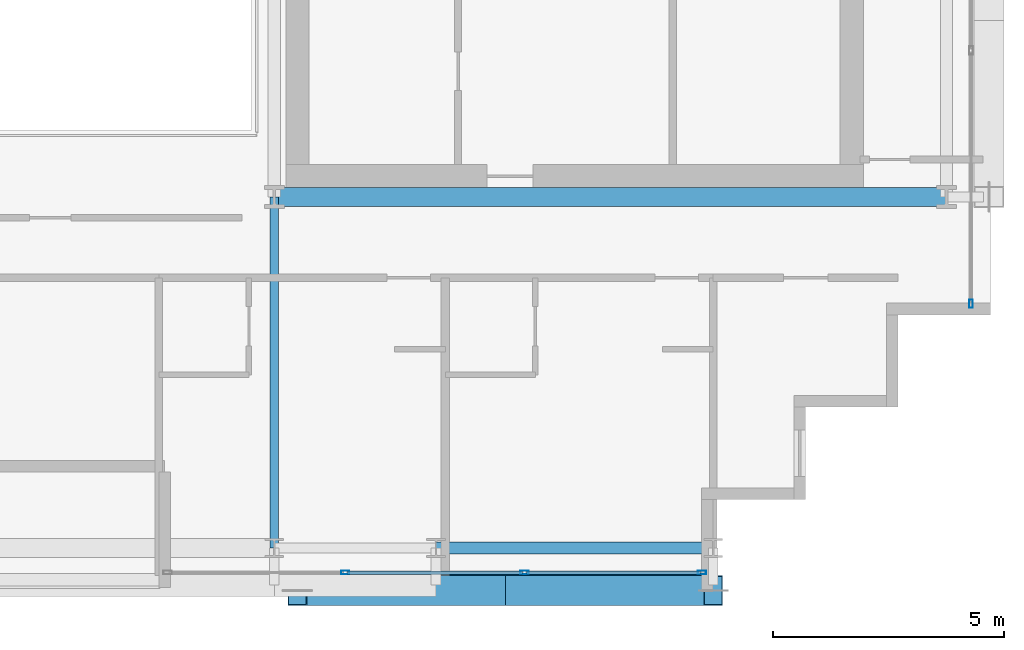
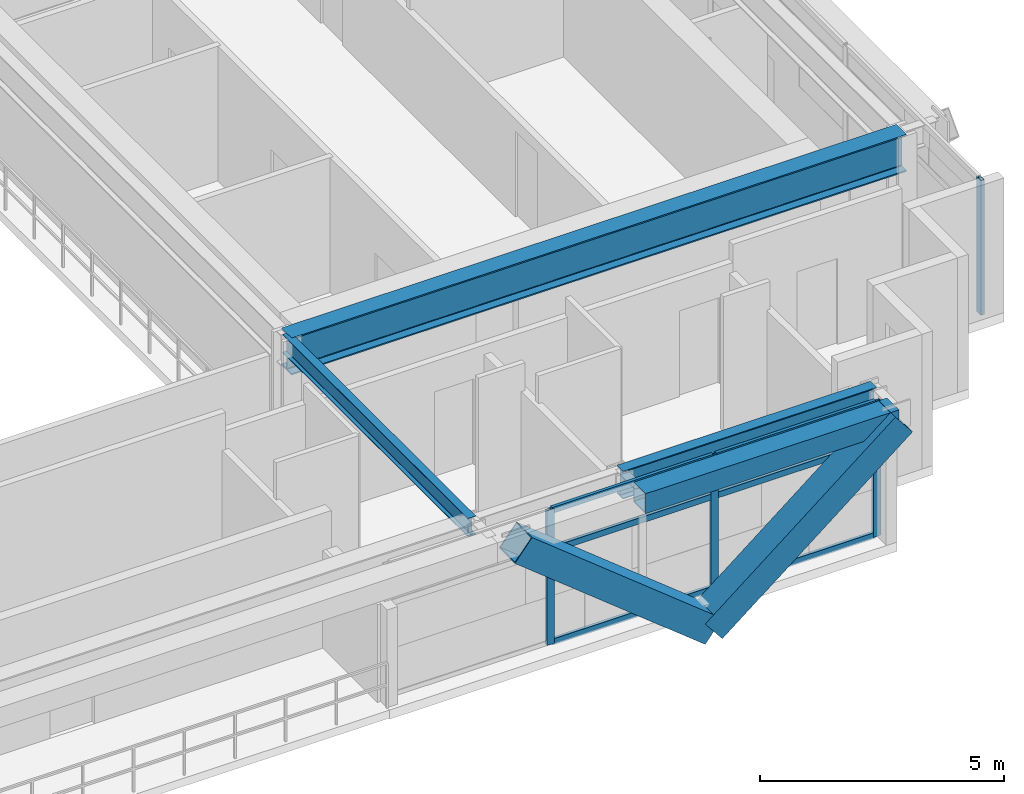
# One storey, part 10 of 32: 12 members, 4 beams, 2 elements without a shape of their own.
"""IFC4 building model written with IfcOpenShell, lengths in metres."""

from ifc_helpers import new_model, si_unit, direction, frame, origin, origin_2d, place, context, subcontext, project, spatial, hollow_rectangle, i_section, extrude, source, transform, mapped, material, layer, layer_set, material_profile, profile_set, type_object, element, aggregate, save


model = new_model("IFC4")

# Units and contexts
model_context = context("Model", 3, precision=1e-05, world=origin(), true_north=direction((0.0, 1.0)))
body_context = subcontext(model_context, "Body", "Model", "MODEL_VIEW")
ifc_project = project(units=[si_unit("LENGTHUNIT", "METRE"), si_unit("AREAUNIT", "SQUARE_METRE"), si_unit("VOLUMEUNIT", "CUBIC_METRE"), si_unit("PLANEANGLEUNIT", "RADIAN"), si_unit("MASSUNIT", "GRAM", prefix="KILO")], contexts=[model_context])

# Site, building, storey
site_placement = place(None, origin())
site = spatial("IfcSite", under=ifc_project, at=site_placement, CompositionType="ELEMENT")
building_placement = place(site_placement, origin())
building = spatial("IfcBuilding", under=site, at=building_placement, Name="Ocotamira Hotel", CompositionType="ELEMENT")
storey_placement = place(building_placement, frame((0.0, 0.0, 177.60009765625)))
storey = spatial("IfcBuildingStorey", under=building, at=storey_placement, Name="L44", CompositionType="ELEMENT", Elevation=177.60009765625)

# Beams
ifc_material_1 = material(Name="Steel ASTM A992 Grade 50", Category="steel")
ifc_material_profile_1 = material_profile(ifc_material_1, i_section(OverallWidth=0.41796875, OverallDepth=0.927001953125, WebThickness=0.019287109375, FlangeThickness=0.031982421875, FilletRadius=0.02392578125, at=origin_2d()), Name="W36X231")
ifc_profile_set_1 = profile_set([ifc_material_profile_1], Name="Steel ASTM A992 Grade 50")
beam_type_1 = type_object("IfcBeamType", Name="BM-GIRD-W36X231", PredefinedType="BEAM", material=ifc_profile_set_1)
shared_shape_1 = source(origin(), body_context, "Body", "SweptSolid", [
    extrude(i_section(OverallWidth=0.41796875, OverallDepth=0.927001953125, WebThickness=0.019287109375, FlangeThickness=0.031982421875, FilletRadius=0.02392578125, at=origin_2d()), origin(), (0.0, 0.0, 1.0), 14.550048828125),
])
beam_1_placement = place(storey_placement, frame((40.5, 14.550048828125, 2.906494140625), z_axis=(1.0, 0.0, 0.0), x_axis=(0.0, 1.0, 0.0)))
element("IfcBeam", 1, at=beam_1_placement, inside=storey, type_object=beam_type_1, Name="L44 Girder Y14.55 X40.5-55.05", PredefinedType="BEAM", context=body_context, shape_type="MappedRepresentation", body=[
    mapped(shared_shape_1, transform((0.0, 0.0, 0.0), scale=1.0)),
])
ifc_material_profile_2 = material_profile(ifc_material_1, i_section(OverallWidth=0.256103515625, OverallDepth=0.693115234375, WebThickness=0.014404296875, FlangeThickness=0.023681640625, FilletRadius=0.01611328125, at=origin_2d()), Name="W27X114")
ifc_profile_set_2 = profile_set([ifc_material_profile_2], Name="Steel ASTM A992 Grade 50")
beam_type_2 = type_object("IfcBeamType", Name="BM-PRIM-W27X114", PredefinedType="BEAM", material=ifc_profile_set_2)
shared_shape_2 = source(origin(), body_context, "Body", "SweptSolid", [
    extrude(i_section(OverallWidth=0.256103515625, OverallDepth=0.693115234375, WebThickness=0.014404296875, FlangeThickness=0.023681640625, FilletRadius=0.01611328125, at=origin_2d()), origin(), (0.0, 0.0, 1.0), 6.0),
])
beam_2_placement = place(storey_placement, frame((44.0, 6.949951171875, 3.0234375), z_axis=(1.0, 0.0, 0.0), x_axis=(0.0, 1.0, 0.0)))
element("IfcBeam", 2, at=beam_2_placement, inside=storey, type_object=beam_type_2, Name="L44 Girder Y6.95 X44-50", PredefinedType="BEAM", context=body_context, shape_type="MappedRepresentation", body=[
    mapped(shared_shape_2, transform((0.0, 0.0, 0.0), scale=1.0)),
])
ifc_material_2 = material(Name="Steel ASTM A500 Grade C", Category="steel")
ifc_material_profile_3 = material_profile(ifc_material_2, hollow_rectangle(XDim=0.5, YDim=0.5, WallThickness=0.02001953125, at=origin_2d()), Name="HSS500X500X20")
ifc_profile_set_3 = profile_set([ifc_material_profile_3], Name="Steel ASTM A500 Grade C")
beam_type_3 = type_object("IfcBeamType", Name="BM-SPAN-HSS500", PredefinedType="USERDEFINED", material=ifc_profile_set_3)
shared_shape_3 = source(origin(), body_context, "Body", "SweptSolid", [
    extrude(hollow_rectangle(XDim=0.5, YDim=0.5, WallThickness=0.02001953125, at=origin_2d()), origin(), (0.0, 0.0, 1.0), 6.0),
])
beam_3_placement = place(storey_placement, frame((44.0, 6.14990234375, 3.119873046875), z_axis=(1.0, 0.0, 0.0), x_axis=(0.0, 1.0, 0.0)))
element("IfcBeam", 3, at=beam_3_placement, inside=storey, type_object=beam_type_3, Name="L44 Edge Spandrel S X44-50", ObjectType="SPANDREL", PredefinedType="USERDEFINED", context=body_context, shape_type="MappedRepresentation", body=[
    mapped(shared_shape_3, transform((0.0, 0.0, 0.0), scale=1.0)),
])
ifc_material_profile_4 = material_profile(ifc_material_1, i_section(OverallWidth=0.18994140625, OverallDepth=0.45703125, WebThickness=0.009033203125, FlangeThickness=0.014404296875, FilletRadius=0.010009765625, at=origin_2d()), Name="W18X50")
ifc_profile_set_4 = profile_set([ifc_material_profile_4], Name="Steel ASTM A992 Grade 50")
beam_type_4 = type_object("IfcBeamType", Name="BM-SEC-W18X50", PredefinedType="JOIST", material=ifc_profile_set_4)
shared_shape_4 = source(origin(), body_context, "Body", "SweptSolid", [
    extrude(i_section(OverallWidth=0.18994140625, OverallDepth=0.45703125, WebThickness=0.009033203125, FlangeThickness=0.014404296875, FilletRadius=0.010009765625, at=origin_2d()), origin(), (0.0, 0.0, 1.0), 7.60009765625),
])
beam_4_placement = place(storey_placement, frame((40.5, 6.949951171875, 3.141357421875), z_axis=(0.0, 1.0, 0.0), x_axis=(-1.0, 0.0, 0.0)))
element("IfcBeam", 4, at=beam_4_placement, inside=storey, type_object=beam_type_4, Name="L44 Beam X40.5 Y6.95-14.55", PredefinedType="JOIST", context=body_context, shape_type="MappedRepresentation", body=[
    mapped(shared_shape_4, transform((0.0, 0.0, 0.0), scale=1.0)),
])

# Members
ifc_material_3 = material(Name="Pale-metal coated steel ASTM A913 Grade 65", Category="steel")
ifc_material_profile_5 = material_profile(ifc_material_3, hollow_rectangle(XDim=0.64990234375, YDim=0.64990234375, WallThickness=0.02197265625, at=origin_2d()), Name="BOX650X650X22")
ifc_profile_set_5 = profile_set([ifc_material_profile_5], Name="Pale-metal coated steel ASTM A913 Grade 65")
member_type_1 = type_object("IfcMemberType", Name="MEM-EXO-BOX650", PredefinedType="BRACE", material=ifc_profile_set_5)
shared_shape_5 = source(origin(), body_context, "Body", "SweptSolid", [
    extrude(hollow_rectangle(XDim=0.64990234375, YDim=0.64990234375, WallThickness=0.02197265625, at=origin_2d()), origin(), (0.0, 0.0, 1.0), 5.7626953125),
])
for number, where, z_axis, x_axis, name in (
    (5, (45.5, 6.030029296875, -0.47998046875), (-0.780881208953, 0.0, 0.624679547852), (0.0, -1.0, 0.0), "L44 Exoskeleton Diagrid S3.1"),
    (6, (45.5, 6.030029296875, -0.47998046875), (0.780881208953, 0.0, 0.624679547852), (0.0, 1.0, 0.0), "L44 Exoskeleton Diagrid S3.2"),
):
    element("IfcMember", number, at=place(storey_placement, frame(where, z_axis=z_axis, x_axis=x_axis)), inside=storey, type_object=member_type_1, Name=name, PredefinedType="BRACE", context=body_context, shape_type="MappedRepresentation", body=[
        mapped(shared_shape_5, transform((0.0, 0.0, 0.0), scale=1.0)),
    ])

# Curtain wall, members
ifc_material_4 = material(Name="Anodised pale-metal aluminium and solar glass", Category="aluminium")
ifc_layer = layer(ifc_material_4, 0.199951171875)
ifc_layer_set = layer_set([ifc_layer], Name="Anodised pale-metal aluminium and solar glass")
curtain_wall_type = type_object("IfcCurtainWallType", Name="CW-SYS4-Z3", PredefinedType="NOTDEFINED", material=ifc_layer_set)
curtain_wall_1_placement = place(storey_placement, origin())
curtain_wall_1 = element("IfcCurtainWall", 7, at=curtain_wall_1_placement, inside=storey, type_object=curtain_wall_type, Name="L44 Curtain Wall CW-4 CW-L44-S2", PredefinedType="NOTDEFINED")
ifc_material_5 = material(Name="Anodised pale-metal aluminium 6063-T6", Category="aluminium")
ifc_material_profile_6 = material_profile(ifc_material_5, hollow_rectangle(XDim=0.080078125, YDim=0.179931640625, WallThickness=0.006103515625, at=origin_2d()), Name="HSS180X80X6")
ifc_profile_set_6 = profile_set([ifc_material_profile_6], Name="Anodised pale-metal aluminium 6063-T6")
member_type_2 = type_object("IfcMemberType", Name="CWM-180X75", PredefinedType="MULLION", material=ifc_profile_set_6)
shared_shape_6 = source(origin(), body_context, "Body", "SweptSolid", [
    extrude(hollow_rectangle(XDim=0.080078125, YDim=0.179931640625, WallThickness=0.006103515625, at=origin_2d()), origin(), (0.0, 0.0, 1.0), 3.369873046875),
])
member_1_placement = place(storey_placement, frame((42.033447265625, 6.419921875, 0.0), z_axis=(0.0, 0.0, 1.0), x_axis=(0.0, 1.0, 0.0)))
member_1 = element("IfcMember", 8, at=member_1_placement, type_object=member_type_2, Name="CW-4 mullion 2", PredefinedType="MULLION", context=body_context, shape_type="MappedRepresentation", body=[
    mapped(shared_shape_6, transform((0.0, 0.0, 0.0), scale=1.0)),
])
member_2_placement = place(storey_placement, frame((45.916748046875, 6.419921875, 0.0), z_axis=(0.0, 0.0, 1.0), x_axis=(0.0, 1.0, 0.0)))
member_2 = element("IfcMember", 9, at=member_2_placement, type_object=member_type_2, Name="CW-4 mullion 3", PredefinedType="MULLION", context=body_context, shape_type="MappedRepresentation", body=[
    mapped(shared_shape_6, transform((0.0, 0.0, 0.0), scale=1.0)),
])
member_3_placement = place(storey_placement, frame((49.760009765625, 6.419921875, 0.0), z_axis=(0.0, 0.0, 1.0), x_axis=(0.0, 1.0, 0.0)))
member_3 = element("IfcMember", 10, at=member_3_placement, type_object=member_type_2, Name="CW-4 mullion 4", PredefinedType="MULLION", context=body_context, shape_type="MappedRepresentation", body=[
    mapped(shared_shape_6, transform((0.0, 0.0, 0.0), scale=1.0)),
])

# Curtain wall, member
curtain_wall_2_placement = place(storey_placement, origin())
curtain_wall_2 = element("IfcCurtainWall", 11, at=curtain_wall_2_placement, inside=storey, type_object=curtain_wall_type, Name="L44 Curtain Wall CW-4 CW-L44-E", PredefinedType="NOTDEFINED")
member_4_placement = place(storey_placement, frame((55.580078125, 12.239990234375, 0.0), z_axis=(0.0, 0.0, 1.0), x_axis=(-1.0, 0.0, 0.0)))
member_4 = element("IfcMember", 12, at=member_4_placement, type_object=member_type_2, Name="CW-4 mullion 1", PredefinedType="MULLION", context=body_context, shape_type="MappedRepresentation", body=[
    mapped(shared_shape_6, transform((0.0, 0.0, 0.0), scale=1.0)),
])
aggregate(curtain_wall_2, [member_4])

# Member
ifc_material_profile_7 = material_profile(ifc_material_5, hollow_rectangle(XDim=0.074951171875, YDim=0.14990234375, WallThickness=0.006103515625, at=origin_2d()), Name="HSS150X75X6")
ifc_profile_set_7 = profile_set([ifc_material_profile_7], Name="Anodised pale-metal aluminium 6063-T6")
member_type_3 = type_object("IfcMemberType", Name="CWT-150X75", PredefinedType="USERDEFINED", material=ifc_profile_set_7)
shared_shape_7 = source(origin(), body_context, "Body", "SweptSolid", [
    extrude(hollow_rectangle(XDim=0.074951171875, YDim=0.14990234375, WallThickness=0.006103515625, at=origin_2d()), origin(), (0.0, 0.0, 1.0), 3.76318359375),
])
member_5_placement = place(storey_placement, frame((45.956787109375, 6.419921875, 0.037353515625), z_axis=(1.0, 0.0, 0.0), x_axis=(0.0, 1.0, 0.0)))
member_5 = element("IfcMember", 13, at=member_5_placement, type_object=member_type_3, Name="CW-4 transom 3.1", ObjectType="TRANSOM", PredefinedType="USERDEFINED", context=body_context, shape_type="MappedRepresentation", body=[
    mapped(shared_shape_7, transform((0.0, 0.0, 0.0), scale=1.0)),
])

member_6_placement = place(storey_placement, frame((45.956787109375, 6.419921875, 2.349853515625), z_axis=(1.0, 0.0, 0.0), x_axis=(0.0, 1.0, 0.0)))
member_6 = element("IfcMember", 14, at=member_6_placement, type_object=member_type_3, Name="CW-4 transom 3.2", ObjectType="TRANSOM", PredefinedType="USERDEFINED", context=body_context, shape_type="MappedRepresentation", body=[
    mapped(shared_shape_7, transform((0.0, 0.0, 0.0), scale=1.0)),
])

member_7_placement = place(storey_placement, frame((45.956787109375, 6.419921875, 3.33251953125), z_axis=(1.0, 0.0, 0.0), x_axis=(0.0, 1.0, 0.0)))
member_7 = element("IfcMember", 15, at=member_7_placement, type_object=member_type_3, Name="CW-4 transom 3.3", ObjectType="TRANSOM", PredefinedType="USERDEFINED", context=body_context, shape_type="MappedRepresentation", body=[
    mapped(shared_shape_7, transform((0.0, 0.0, 0.0), scale=1.0)),
])

shared_shape_8 = source(origin(), body_context, "Body", "SweptSolid", [
    extrude(hollow_rectangle(XDim=0.074951171875, YDim=0.14990234375, WallThickness=0.006103515625, at=origin_2d()), origin(), (0.0, 0.0, 1.0), 3.803466796875),
])
member_8_placement = place(storey_placement, frame((42.0732421875, 6.419921875, 0.037353515625), z_axis=(1.0, 0.0, 0.0), x_axis=(0.0, 1.0, 0.0)))
member_8 = element("IfcMember", 16, at=member_8_placement, type_object=member_type_3, Name="CW-4 transom 2.1", ObjectType="TRANSOM", PredefinedType="USERDEFINED", context=body_context, shape_type="MappedRepresentation", body=[
    mapped(shared_shape_8, transform((0.0, 0.0, 0.0), scale=1.0)),
])

member_9_placement = place(storey_placement, frame((42.0732421875, 6.419921875, 2.349853515625), z_axis=(1.0, 0.0, 0.0), x_axis=(0.0, 1.0, 0.0)))
member_9 = element("IfcMember", 17, at=member_9_placement, type_object=member_type_3, Name="CW-4 transom 2.2", ObjectType="TRANSOM", PredefinedType="USERDEFINED", context=body_context, shape_type="MappedRepresentation", body=[
    mapped(shared_shape_8, transform((0.0, 0.0, 0.0), scale=1.0)),
])

member_10_placement = place(storey_placement, frame((42.0732421875, 6.419921875, 3.33251953125), z_axis=(1.0, 0.0, 0.0), x_axis=(0.0, 1.0, 0.0)))
member_10 = element("IfcMember", 18, at=member_10_placement, type_object=member_type_3, Name="CW-4 transom 2.3", ObjectType="TRANSOM", PredefinedType="USERDEFINED", context=body_context, shape_type="MappedRepresentation", body=[
    mapped(shared_shape_8, transform((0.0, 0.0, 0.0), scale=1.0)),
])

aggregate(curtain_wall_1, [member_1, member_2, member_3, member_8, member_9, member_10, member_5, member_6, member_7])

save(model, "model.ifc")
